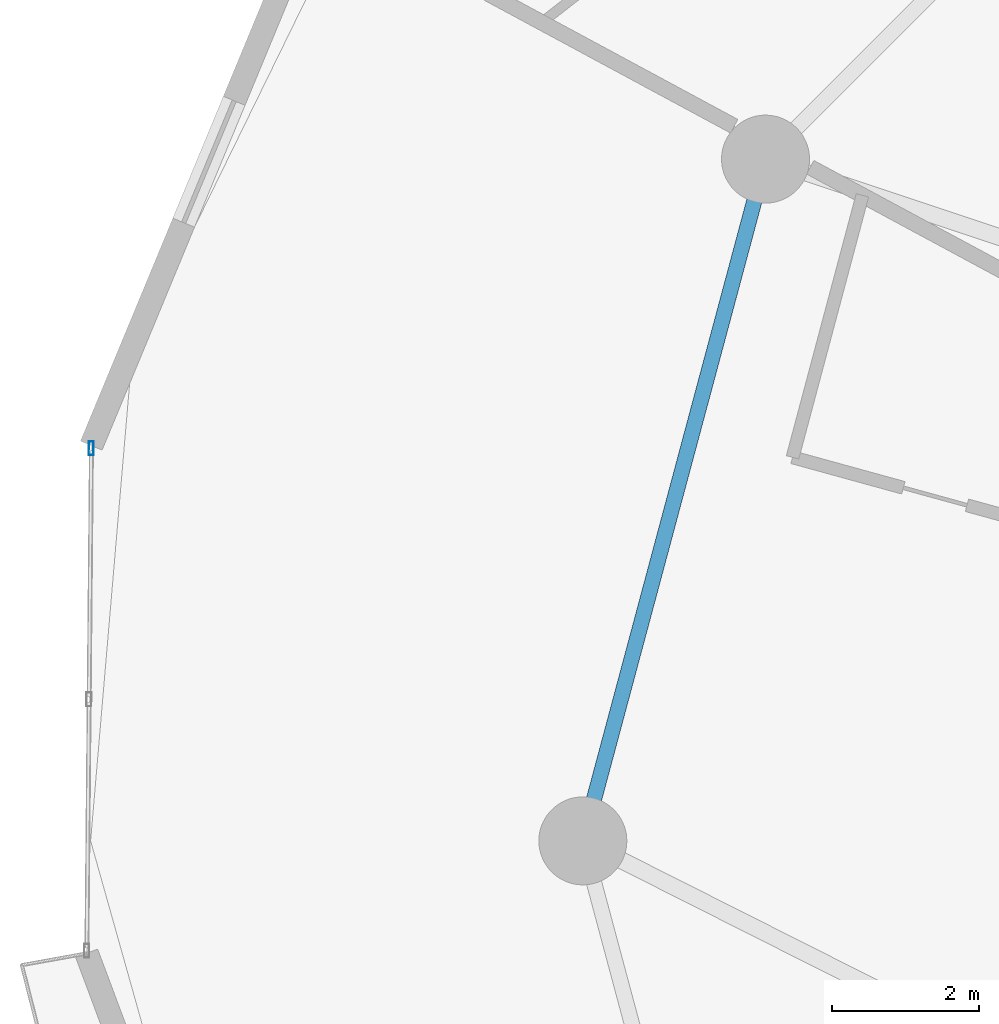
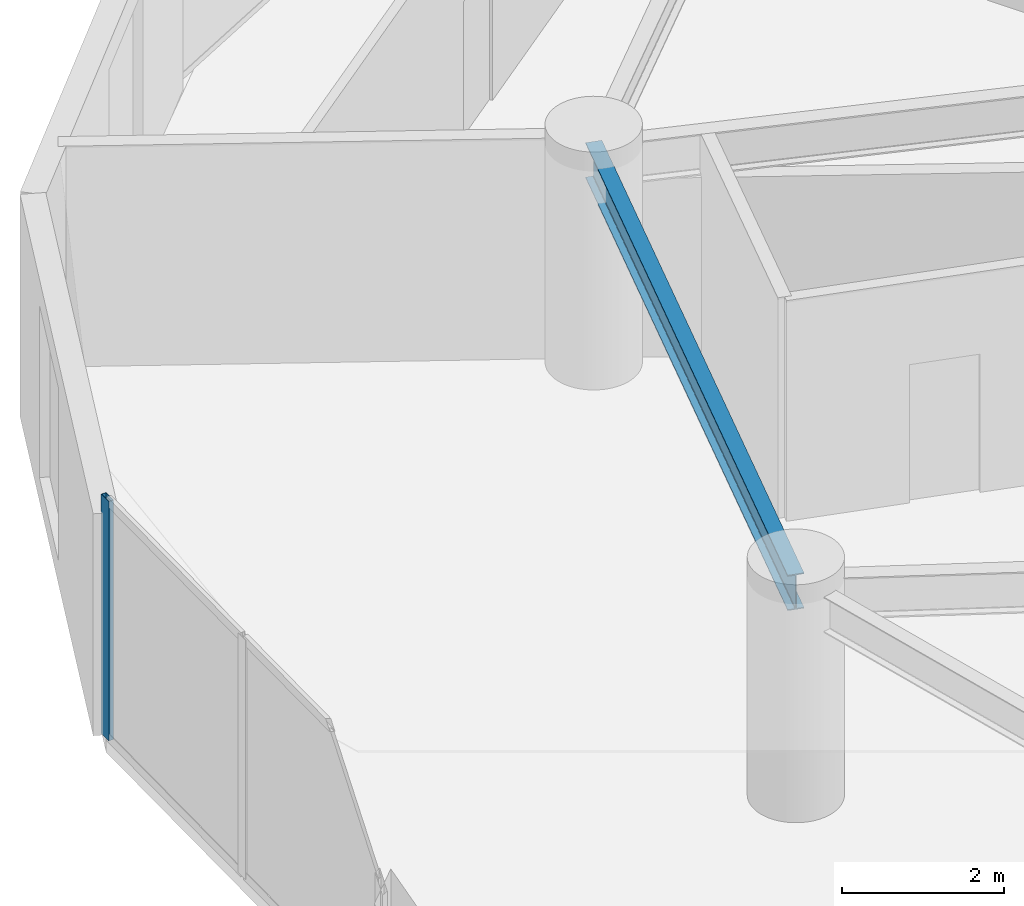
# One storey, part 6 of 20: 1 beam, 1 member, 1 element without a shape of its own.
"""IFC4 building model written with IfcOpenShell, lengths in metres."""

from ifc_helpers import new_model, si_unit, direction, frame, origin, origin_2d, place, context, subcontext, project, spatial, hollow_rectangle, i_section, extrude, source, transform, mapped, material, layer, layer_set, material_profile, profile_set, type_object, element, aggregate, save


model = new_model("IFC4")

# Units and contexts
model_context = context("Model", 3, precision=1e-05, world=origin(), true_north=direction((0.0, 1.0)))
body_context = subcontext(model_context, "Body", "Model", "MODEL_VIEW")
ifc_project = project(units=[si_unit("LENGTHUNIT", "METRE"), si_unit("AREAUNIT", "SQUARE_METRE"), si_unit("VOLUMEUNIT", "CUBIC_METRE"), si_unit("PLANEANGLEUNIT", "RADIAN"), si_unit("MASSUNIT", "GRAM", prefix="KILO")], contexts=[model_context])

# Site, building, storey
site_placement = place(None, origin())
site = spatial("IfcSite", under=ifc_project, at=site_placement, CompositionType="ELEMENT")
building_placement = place(site_placement, origin())
building = spatial("IfcBuilding", under=site, at=building_placement, Name="Solvirekh Grand Hotel", CompositionType="ELEMENT")
storey_placement = place(building_placement, frame((0.0, 0.0, 50.0)))
storey = spatial("IfcBuildingStorey", under=building, at=storey_placement, Name="L11", CompositionType="ELEMENT", Elevation=50.0)

# Beam
ifc_material_1 = material(Name="Steel S355", Category="steel")
ifc_material_profile_1 = material_profile(ifc_material_1, i_section(OverallWidth=0.208984375, OverallDepth=0.532958984375, WebThickness=0.010009765625, FlangeThickness=0.014892578125, FilletRadius=0.013916015625, at=origin_2d()), Name="W530X92")
ifc_profile_set_1 = profile_set([ifc_material_profile_1], Name="Steel S355")
beam_type = type_object("IfcBeamType", Name="Spandrel_Ring_W530", PredefinedType="SPANDREL", material=ifc_profile_set_1)
beam_placement = place(storey_placement, frame((-16.10791015625, 9.300048828125, 3.073974609375), z_axis=(-0.258842973314, -0.965919414426, 0.0), x_axis=(0.965919414426, -0.258842973314, 0.0)))
element("IfcBeam", 1, at=beam_placement, inside=storey, type_object=beam_type, Name="L11 perimeter spandrel beam 6", PredefinedType="SPANDREL", context=body_context, shape_type="SweptSolid", body=[
    extrude(i_section(OverallWidth=0.208984375, OverallDepth=0.532958984375, WebThickness=0.010009765625, FlangeThickness=0.014892578125, FilletRadius=0.013916015625, at=origin_2d()), origin(), (0.0, 0.0, 1.0), 9.628173828125),
])

# Curtain wall, member
ifc_material_2 = material(Name="Anodized Bronze Aluminium 6063-T6", Category="aluminium")
ifc_layer = layer(ifc_material_2, 0.18994140625)
ifc_layer_set = layer_set([ifc_layer], Name="Anodized Bronze Aluminium 6063-T6")
curtain_wall_type = type_object("IfcCurtainWallType", Name="CW_Sys2_LowZoneFlushBronzeCW", PredefinedType="NOTDEFINED", material=ifc_layer_set)
curtain_wall_placement = place(storey_placement, origin())
curtain_wall = element("IfcCurtainWall", 2, at=curtain_wall_placement, inside=storey, type_object=curtain_wall_type, Name="L11 unitised bronze-glass curtain wall CW-L11-C11", PredefinedType="NOTDEFINED")
ifc_material_profile_2 = material_profile(ifc_material_2, hollow_rectangle(XDim=0.070068359375, YDim=0.18994140625, WallThickness=0.0048828125, at=origin_2d()), Name="ALU RHS 190X70X5")
ifc_profile_set_2 = profile_set([ifc_material_profile_2], Name="Anodized Bronze Aluminium 6063-T6")
member_type = type_object("IfcMemberType", Name="CWMullion_Sys2", PredefinedType="MULLION", material=ifc_profile_set_2)
shared_shape = source(origin(), body_context, "Body", "SweptSolid", [
    extrude(hollow_rectangle(XDim=0.070068359375, YDim=0.18994140625, WallThickness=0.0048828125, at=origin_2d()), origin(), (0.0, 0.0, 1.0), 3.60009765625),
])
member_placement = place(storey_placement, frame((-25.306396484375, 5.35693359375, 0.0), z_axis=(0.0, 0.0, 1.0), x_axis=(0.999958620562, -0.00909709647, 0.0)))
member = element("IfcMember", 3, at=member_placement, type_object=member_type, Name="U02 mullion 1", PredefinedType="MULLION", context=body_context, shape_type="MappedRepresentation", body=[
    mapped(shared_shape, transform((0.0, 0.0, 0.0), x_axis=(1.0, 0.0, 0.0), y_axis=(0.0, 1.0, 0.0), z_axis=(0.0, 0.0, 1.0), scale=1.0)),
])
aggregate(curtain_wall, [member])

save(model, "model.ifc")
